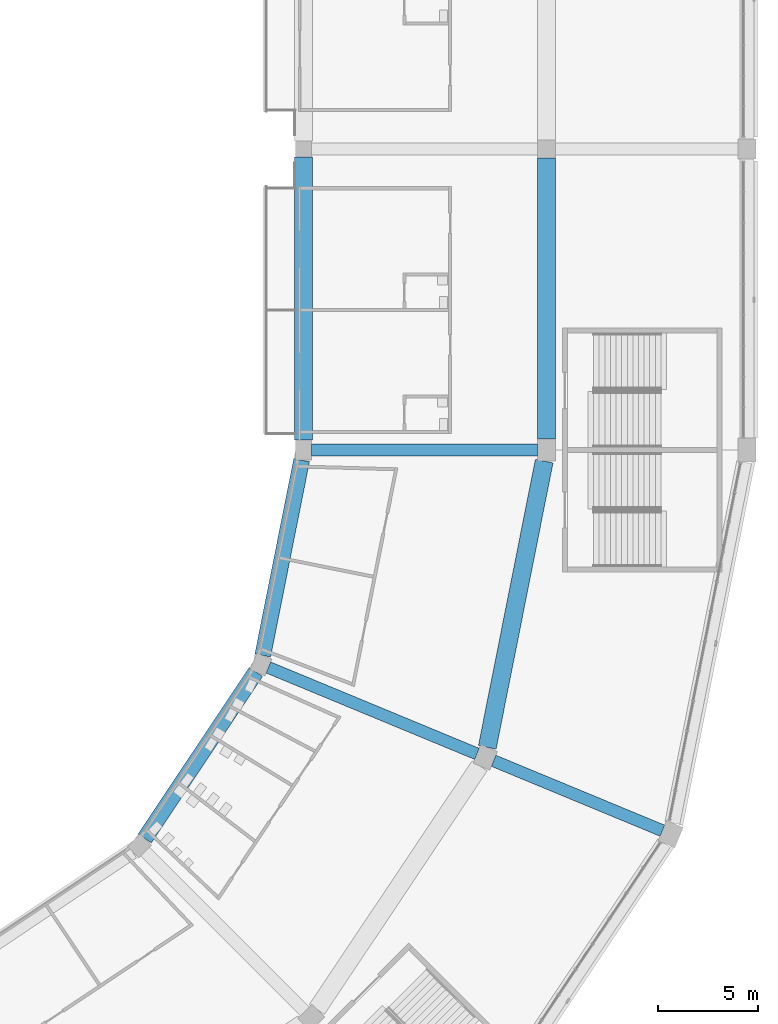
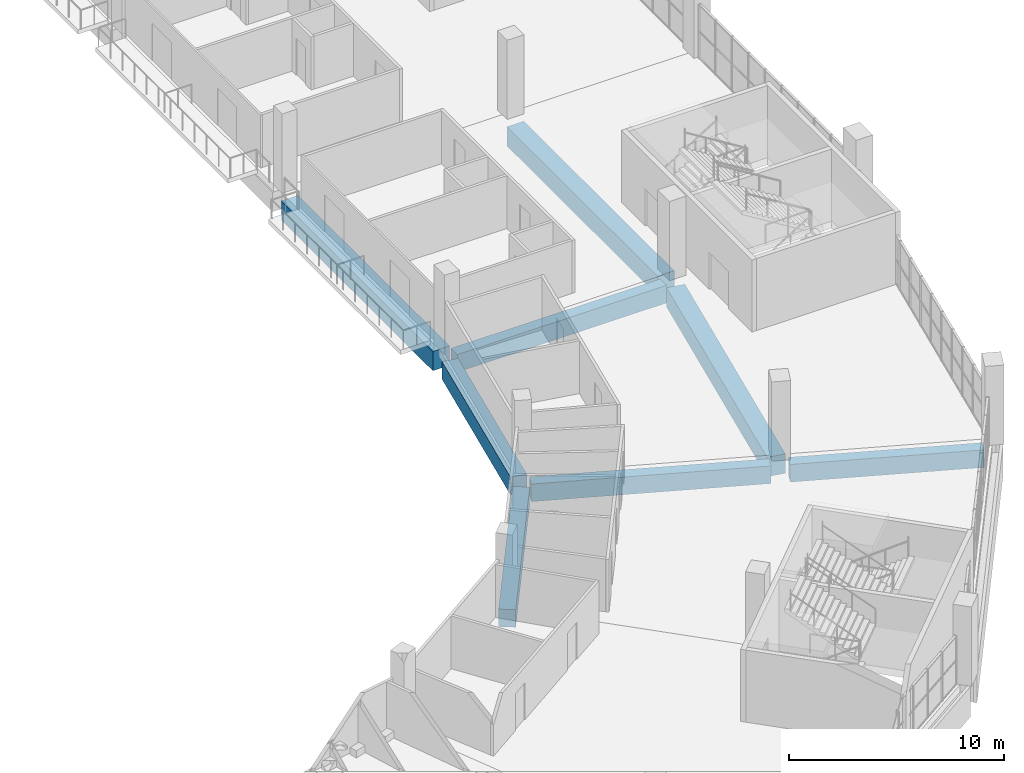
# One storey, part 25 of 199: 8 beams.
"""IFC4 building model written with IfcOpenShell, lengths in metres."""

from ifc_helpers import new_model, si_unit, direction, frame, origin, origin_2d, place, context, subcontext, project, spatial, rectangle, extrude, material, material_profile, profile_set, type_object, element, save


model = new_model("IFC4")

# Units and contexts
model_context = context("Model", 3, precision=1e-05, world=origin(), true_north=direction((0.0, 1.0)))
body_context = subcontext(model_context, "Body", "Model", "MODEL_VIEW")
ifc_project = project(units=[si_unit("LENGTHUNIT", "METRE"), si_unit("AREAUNIT", "SQUARE_METRE"), si_unit("VOLUMEUNIT", "CUBIC_METRE"), si_unit("PLANEANGLEUNIT", "RADIAN"), si_unit("MASSUNIT", "GRAM", prefix="KILO")], contexts=[model_context])

# Site, building, storey
site_placement = place(None, origin())
site = spatial("IfcSite", under=ifc_project, at=site_placement, CompositionType="ELEMENT")
building_placement = place(site_placement, origin())
building = spatial("IfcBuilding", under=site, at=building_placement, Name="Ogive Plaza Stadium", CompositionType="ELEMENT")
storey_placement = place(building_placement, frame((0.0, 0.0, 9.0)))
storey = spatial("IfcBuildingStorey", under=building, at=storey_placement, Name="L02", CompositionType="ELEMENT", Elevation=9.0)

# Beams
ifc_material_1 = material(Name="Concrete C40/50", Category="concrete")
ifc_material_profile_1 = material_profile(ifc_material_1, rectangle(XDim=0.60009765625, YDim=1.0, at=origin_2d()), Name="RC 600x1000")
ifc_profile_set_1 = profile_set([ifc_material_profile_1], Name="Concrete C40/50")
beam_type_1 = type_object("IfcBeamType", Name="RC radial beam 600x1000", PredefinedType="BEAM", material=ifc_profile_set_1)
beam_1_placement = place(storey_placement, frame((62.300048828125, -52.5, -0.909912109375), z_axis=(1.0, 0.0, 0.0), x_axis=(0.0, 1.0, 0.0)))
element("IfcBeam", 1, at=beam_1_placement, inside=storey, type_object=beam_type_1, Name="Radial beam L02 R08 F3F4", PredefinedType="BEAM", context=body_context, shape_type="SweptSolid", body=[
    extrude(rectangle(XDim=0.60009765625, YDim=1.0, at=origin_2d()), origin(), (0.0, 0.0, 1.0), 11.25),
])
beam_2_placement = place(storey_placement, frame((60.145751953125, -63.329833984375, -0.909912109375), z_axis=(0.92388194159, -0.382677616283, 0.0), x_axis=(0.382677616283, 0.92388194159, 0.0)))
element("IfcBeam", 2, at=beam_2_placement, inside=storey, type_object=beam_type_1, Name="Radial beam L02 R09 F3F4", PredefinedType="BEAM", context=body_context, shape_type="SweptSolid", body=[
    extrude(rectangle(XDim=0.60009765625, YDim=1.0, at=origin_2d()), origin(), (0.0, 0.0, 1.0), 11.250244140625),
])
beam_3_placement = place(storey_placement, frame((71.370849609375, -67.9794921875, -0.909912109375), z_axis=(0.923882116707, -0.382677193504, 0.0), x_axis=(0.382677193504, 0.923882116707, 0.0)))
element("IfcBeam", 3, at=beam_3_placement, inside=storey, type_object=beam_type_1, Name="Radial beam L02 R09 F4F5", PredefinedType="BEAM", context=body_context, shape_type="SweptSolid", body=[
    extrude(rectangle(XDim=0.60009765625, YDim=1.0, at=origin_2d()), origin(), (0.0, 0.0, 1.0), 9.10009765625),
])
ifc_material_2 = material(Name="Concrete C40/50", Category="concrete")
ifc_material_profile_2 = material_profile(ifc_material_2, rectangle(XDim=0.800048828125, YDim=1.0, at=origin_2d()), Name="RC 800x1000")
ifc_profile_set_2 = profile_set([ifc_material_profile_2], Name="Concrete C40/50")
beam_type_2 = type_object("IfcBeamType", Name="RC ring beam 800x1000", PredefinedType="BEAM", material=ifc_profile_set_2)
beam_4_placement = place(storey_placement, frame((61.800537109375, -53.0, -0.909912109375), z_axis=(-0.195093456635, -0.980784656884, 0.0), x_axis=(0.980784656884, -0.195093456635, 0.0)))
element("IfcBeam", 4, at=beam_4_placement, inside=storey, type_object=beam_type_2, Name="Ring beam F3 L02 B08", PredefinedType="BEAM", context=body_context, shape_type="SweptSolid", body=[
    extrude(rectangle(XDim=0.800048828125, YDim=1.0, at=origin_2d()), origin(), (0.0, 0.0, 1.0), 9.91748046875),
])
beam_5_placement = place(storey_placement, frame((59.521240234375, -63.558349609375, -0.909912109375), z_axis=(-0.555570290949, -0.831469573595, 0.0), x_axis=(0.831469573595, -0.555570290949, 0.0)))
element("IfcBeam", 5, at=beam_5_placement, inside=storey, type_object=beam_type_2, Name="Ring beam F3 L02 B09", PredefinedType="BEAM", context=body_context, shape_type="SweptSolid", body=[
    extrude(rectangle(XDim=0.800048828125, YDim=1.0, at=origin_2d()), origin(), (0.0, 0.0, 1.0), 9.96826171875),
])
ifc_material_3 = material(Name="Concrete C40/50", Category="concrete")
ifc_material_profile_3 = material_profile(ifc_material_3, rectangle(XDim=0.89990234375, YDim=1.10009765625, at=origin_2d()), Name="RC 900x1100")
ifc_profile_set_3 = profile_set([ifc_material_profile_3], Name="Concrete C40/50")
beam_type_3 = type_object("IfcBeamType", Name="RC ring beam 900x1100", PredefinedType="BEAM", material=ifc_profile_set_3)
beam_6_placement = place(storey_placement, frame((74.0, -37.949951171875, -0.9599609375), z_axis=(0.0, -1.0, 0.0), x_axis=(1.0, 0.0, 0.0)))
element("IfcBeam", 6, at=beam_6_placement, inside=storey, type_object=beam_type_3, Name="Ring beam F4 L02 B07", PredefinedType="BEAM", context=body_context, shape_type="SweptSolid", body=[
    extrude(rectangle(XDim=0.89990234375, YDim=1.10009765625, at=origin_2d()), origin(), (0.0, 0.0, 1.0), 14.0),
])
beam_7_placement = place(storey_placement, frame((61.89990234375, -37.89990234375, -0.9599609375), z_axis=(0.0, -1.0, 0.0), x_axis=(1.0, 0.0, 0.0)))
element("IfcBeam", 7, at=beam_7_placement, inside=storey, type_object=beam_type_3, Name="Ring beam F3 L02 B07", PredefinedType="BEAM", context=body_context, shape_type="SweptSolid", body=[
    extrude(rectangle(XDim=0.89990234375, YDim=1.10009765625, at=origin_2d()), origin(), (0.0, 0.0, 1.0), 14.10009765625),
])
beam_8_placement = place(storey_placement, frame((73.890625, -53.050048828125, -0.9599609375), z_axis=(-0.195088957992, -0.980785551724, 0.0), x_axis=(0.980785551724, -0.195088957992, 0.0)))
element("IfcBeam", 8, at=beam_8_placement, inside=storey, type_object=beam_type_3, Name="Ring beam F4 L02 B08", PredefinedType="BEAM", context=body_context, shape_type="SweptSolid", body=[
    extrude(rectangle(XDim=0.89990234375, YDim=1.10009765625, at=origin_2d()), origin(), (0.0, 0.0, 1.0), 14.53662109375),
])

save(model, "model.ifc")
